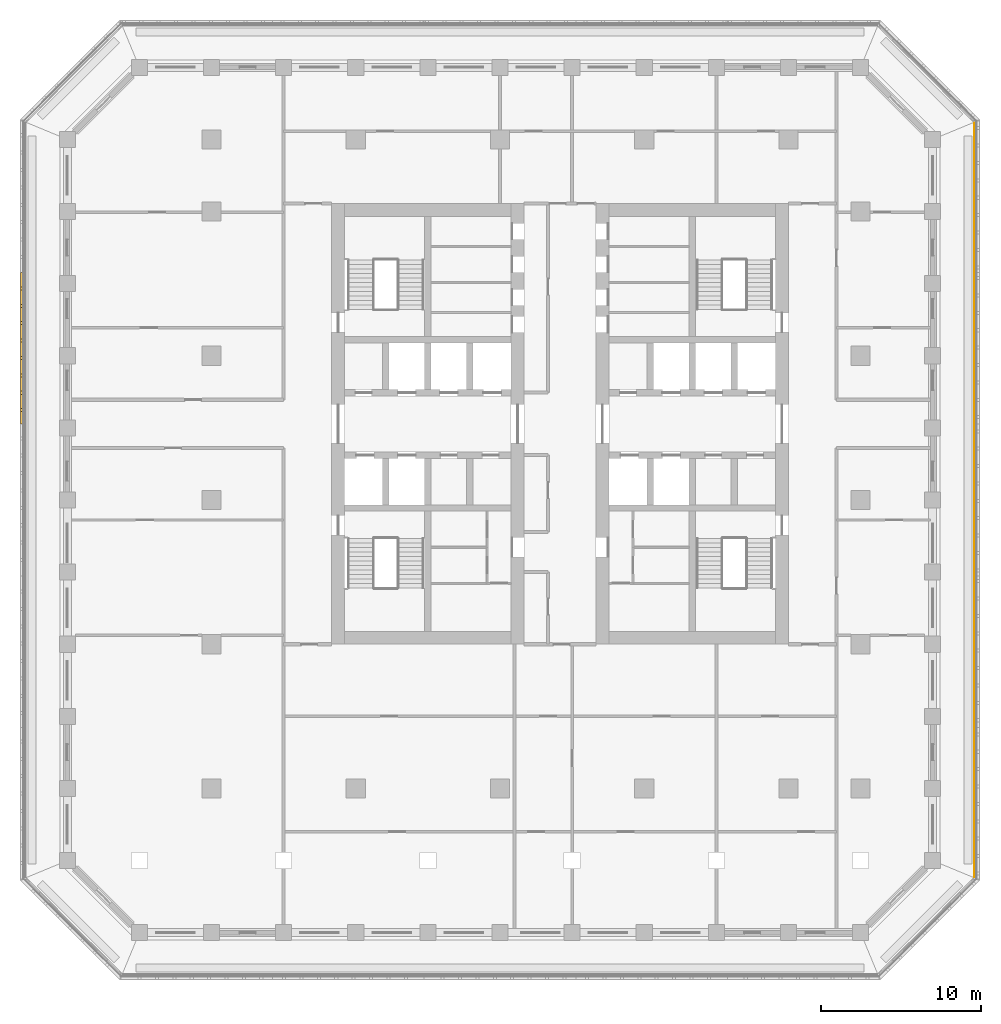
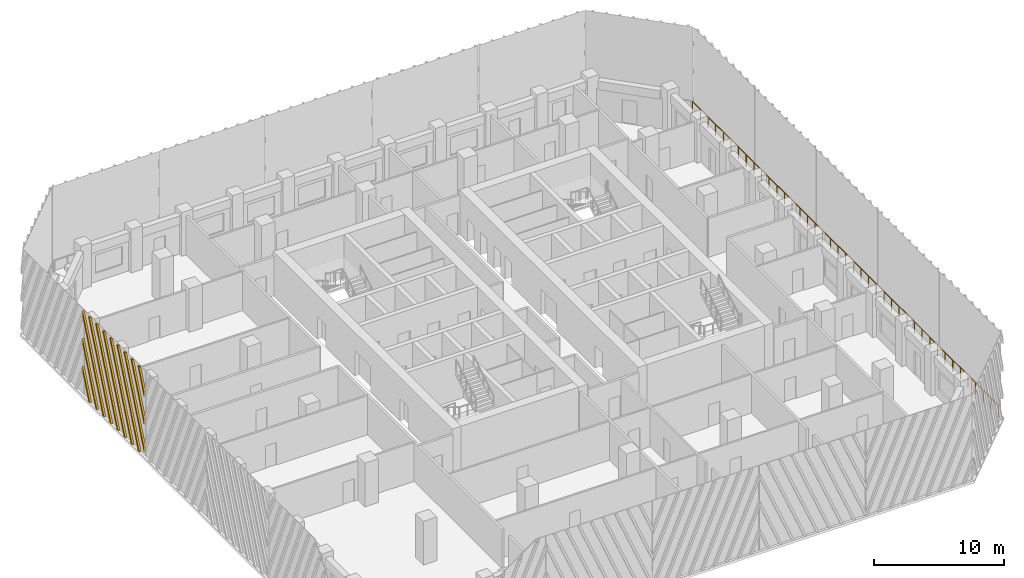
# One storey, part 13 of 17: 1 railing, 1 shading device.
"""IFC4 building model written with IfcOpenShell, lengths in metres."""

from ifc_helpers import new_model, si_unit, direction, frame, origin, origin_2d, place, context, subcontext, project, spatial, polyline, circle, outline, extrude, source, transform, mapped, material, type_object, element, save


model = new_model("IFC4")

# Units and contexts
model_context = context("Model", 3, precision=1e-05, world=origin(), true_north=direction((0.0, 1.0)))
body_context = subcontext(model_context, "Body", "Model", "MODEL_VIEW")
ifc_project = project(units=[si_unit("LENGTHUNIT", "METRE"), si_unit("AREAUNIT", "SQUARE_METRE"), si_unit("VOLUMEUNIT", "CUBIC_METRE"), si_unit("PLANEANGLEUNIT", "RADIAN"), si_unit("MASSUNIT", "GRAM", prefix="KILO")], contexts=[model_context])

# Site, building, storey
site_placement = place(None, origin())
site = spatial("IfcSite", under=ifc_project, at=site_placement, CompositionType="ELEMENT")
building_placement = place(site_placement, origin())
building = spatial("IfcBuilding", under=site, at=building_placement, Name="Corbel Stack Research Tower", CompositionType="ELEMENT")
storey_placement = place(building_placement, frame((0.0, 0.0, 156.800048828125)))
storey = spatial("IfcBuildingStorey", under=building, at=storey_placement, Name="L35", CompositionType="ELEMENT", Elevation=156.800048828125)

# Railing
ifc_material_1 = material(Name="Powder-coated steel guard", Category="steel")
railing_type = type_object("IfcRailingType", Name="Steel and glass guard 1100", PredefinedType="GUARDRAIL", material=ifc_material_1)
railing_placement = place(storey_placement, frame((29.60009765625, -23.50537109375, 0.0)))
element("IfcRailing", 1, at=railing_placement, inside=storey, type_object=railing_type, Name="Loggia guard L35 E", PredefinedType="GUARDRAIL", context=body_context, shape_type="SweptSolid", body=[
    extrude(circle(Radius=0.02392578125, at=origin_2d()), frame((0.0, 0.0, 1.076171875), z_axis=(0.0, 1.0, 0.0), x_axis=(-1.0, 0.0, 0.0)), (0.0, 0.0, 1.0), 47.0107421875),
    extrude(circle(Radius=0.02099609375, at=origin_2d()), origin(), (0.0, 0.0, 1.0), 1.052001953125),
    extrude(circle(Radius=0.02099609375, at=origin_2d()), frame((0.0, 1.17529296875, 0.0)), (0.0, 0.0, 1.0), 1.052001953125),
    extrude(circle(Radius=0.02099609375, at=origin_2d()), frame((0.0, 2.3505859375, 0.0)), (0.0, 0.0, 1.0), 1.052001953125),
    extrude(circle(Radius=0.02099609375, at=origin_2d()), frame((0.0, 3.52587890625, 0.0)), (0.0, 0.0, 1.0), 1.052001953125),
    extrude(circle(Radius=0.02099609375, at=origin_2d()), frame((0.0, 4.701171875, 0.0)), (0.0, 0.0, 1.0), 1.052001953125),
    extrude(circle(Radius=0.02099609375, at=origin_2d()), frame((0.0, 5.87646484375, 0.0)), (0.0, 0.0, 1.0), 1.052001953125),
    extrude(circle(Radius=0.02099609375, at=origin_2d()), frame((0.0, 7.051513671875, 0.0)), (0.0, 0.0, 1.0), 1.052001953125),
    extrude(circle(Radius=0.02099609375, at=origin_2d()), frame((0.0, 8.226806640625, 0.0)), (0.0, 0.0, 1.0), 1.052001953125),
    extrude(circle(Radius=0.02099609375, at=origin_2d()), frame((0.0, 9.402099609375, 0.0)), (0.0, 0.0, 1.0), 1.052001953125),
    extrude(circle(Radius=0.02099609375, at=origin_2d()), frame((0.0, 10.577392578125, 0.0)), (0.0, 0.0, 1.0), 1.052001953125),
    extrude(circle(Radius=0.02099609375, at=origin_2d()), frame((0.0, 11.752685546875, 0.0)), (0.0, 0.0, 1.0), 1.052001953125),
    extrude(circle(Radius=0.02099609375, at=origin_2d()), frame((0.0, 12.927978515625, 0.0)), (0.0, 0.0, 1.0), 1.052001953125),
    extrude(circle(Radius=0.02099609375, at=origin_2d()), frame((0.0, 14.103271484375, 0.0)), (0.0, 0.0, 1.0), 1.052001953125),
    extrude(circle(Radius=0.02099609375, at=origin_2d()), frame((0.0, 15.278564453125, 0.0)), (0.0, 0.0, 1.0), 1.052001953125),
    extrude(circle(Radius=0.02099609375, at=origin_2d()), frame((0.0, 16.453857421875, 0.0)), (0.0, 0.0, 1.0), 1.052001953125),
    extrude(circle(Radius=0.02099609375, at=origin_2d()), frame((0.0, 17.62890625, 0.0)), (0.0, 0.0, 1.0), 1.052001953125),
    extrude(circle(Radius=0.02099609375, at=origin_2d()), frame((0.0, 18.80419921875, 0.0)), (0.0, 0.0, 1.0), 1.052001953125),
    extrude(circle(Radius=0.02099609375, at=origin_2d()), frame((0.0, 19.9794921875, 0.0)), (0.0, 0.0, 1.0), 1.052001953125),
    extrude(circle(Radius=0.02099609375, at=origin_2d()), frame((0.0, 21.15478515625, 0.0)), (0.0, 0.0, 1.0), 1.052001953125),
    extrude(circle(Radius=0.02099609375, at=origin_2d()), frame((0.0, 22.330078125, 0.0)), (0.0, 0.0, 1.0), 1.052001953125),
    extrude(circle(Radius=0.02099609375, at=origin_2d()), frame((0.0, 23.50537109375, 0.0)), (0.0, 0.0, 1.0), 1.052001953125),
    extrude(circle(Radius=0.02099609375, at=origin_2d()), frame((0.0, 24.6806640625, 0.0)), (0.0, 0.0, 1.0), 1.052001953125),
    extrude(circle(Radius=0.02099609375, at=origin_2d()), frame((0.0, 25.85595703125, 0.0)), (0.0, 0.0, 1.0), 1.052001953125),
    extrude(circle(Radius=0.02099609375, at=origin_2d()), frame((0.0, 27.03125, 0.0)), (0.0, 0.0, 1.0), 1.052001953125),
    extrude(circle(Radius=0.02099609375, at=origin_2d()), frame((0.0, 28.20654296875, 0.0)), (0.0, 0.0, 1.0), 1.052001953125),
    extrude(circle(Radius=0.02099609375, at=origin_2d()), frame((0.0, 29.3818359375, 0.0)), (0.0, 0.0, 1.0), 1.052001953125),
    extrude(circle(Radius=0.02099609375, at=origin_2d()), frame((0.0, 30.556884765625, 0.0)), (0.0, 0.0, 1.0), 1.052001953125),
    extrude(circle(Radius=0.02099609375, at=origin_2d()), frame((0.0, 31.732177734375, 0.0)), (0.0, 0.0, 1.0), 1.052001953125),
    extrude(circle(Radius=0.02099609375, at=origin_2d()), frame((0.0, 32.907470703125, 0.0)), (0.0, 0.0, 1.0), 1.052001953125),
    extrude(circle(Radius=0.02099609375, at=origin_2d()), frame((0.0, 34.082763671875, 0.0)), (0.0, 0.0, 1.0), 1.052001953125),
    extrude(circle(Radius=0.02099609375, at=origin_2d()), frame((0.0, 35.258056640625, 0.0)), (0.0, 0.0, 1.0), 1.052001953125),
    extrude(circle(Radius=0.02099609375, at=origin_2d()), frame((0.0, 36.433349609375, 0.0)), (0.0, 0.0, 1.0), 1.052001953125),
    extrude(circle(Radius=0.02099609375, at=origin_2d()), frame((0.0, 37.608642578125, 0.0)), (0.0, 0.0, 1.0), 1.052001953125),
    extrude(circle(Radius=0.02099609375, at=origin_2d()), frame((0.0, 38.783935546875, 0.0)), (0.0, 0.0, 1.0), 1.052001953125),
    extrude(circle(Radius=0.02099609375, at=origin_2d()), frame((0.0, 39.959228515625, 0.0)), (0.0, 0.0, 1.0), 1.052001953125),
    extrude(circle(Radius=0.02099609375, at=origin_2d()), frame((0.0, 41.13427734375, 0.0)), (0.0, 0.0, 1.0), 1.052001953125),
    extrude(circle(Radius=0.02099609375, at=origin_2d()), frame((0.0, 42.3095703125, 0.0)), (0.0, 0.0, 1.0), 1.052001953125),
    extrude(circle(Radius=0.02099609375, at=origin_2d()), frame((0.0, 43.48486328125, 0.0)), (0.0, 0.0, 1.0), 1.052001953125),
    extrude(circle(Radius=0.02099609375, at=origin_2d()), frame((0.0, 44.66015625, 0.0)), (0.0, 0.0, 1.0), 1.052001953125),
    extrude(circle(Radius=0.02099609375, at=origin_2d()), frame((0.0, 45.83544921875, 0.0)), (0.0, 0.0, 1.0), 1.052001953125),
    extrude(circle(Radius=0.02099609375, at=origin_2d()), frame((0.0, 47.0107421875, 0.0)), (0.0, 0.0, 1.0), 1.052001953125),
])

# Shading device
ifc_material_2 = material(Name="Precast terracotta", Category="masonry")
shading_device_type = type_object("IfcShadingDeviceType", Name="Terracotta screen panel", PredefinedType="USERDEFINED", material=ifc_material_2)
shared_shape = source(origin(), body_context, "Body", "SweptSolid", [
    extrude(outline(polyline([(1.14453125, 0.0), (0.0, 2.740478515625), (0.0, 2.285400390625), (0.95458984375, 0.0), (1.14453125, 0.0)])), frame((0.0, 0.0, 0.0), z_axis=(0.0, -1.0, 0.0), x_axis=(1.0, 0.0, 0.0)), (0.0, 0.0, 1.0), 0.179931640625),
    extrude(outline(polyline([(2.22900390625, 0.0), (0.0, 5.337646484375), (0.0, 4.882568359375), (2.0390625, 0.0), (2.22900390625, 0.0)])), frame((0.0, 0.0, 0.0), z_axis=(0.0, -1.0, 0.0), x_axis=(1.0, 0.0, 0.0)), (0.0, 0.0, 1.0), 0.179931640625),
    extrude(outline(polyline([(3.313720703125, 0.0), (0.0, 7.934814453125), (0.0, 7.479736328125), (3.123779296875, 0.0), (3.313720703125, 0.0)])), frame((0.0, 0.0, 0.0), z_axis=(0.0, -1.0, 0.0), x_axis=(1.0, 0.0, 0.0)), (0.0, 0.0, 1.0), 0.179931640625),
    extrude(outline(polyline([(4.3984375, 0.0), (1.078369140625, 7.949951171875), (0.88818359375, 7.949951171875), (4.20849609375, 0.0), (4.3984375, 0.0)])), frame((0.0, 0.0, 0.0), z_axis=(0.0, -1.0, 0.0), x_axis=(1.0, 0.0, 0.0)), (0.0, 0.0, 1.0), 0.179931640625),
    extrude(outline(polyline([(5.483154296875, 0.0), (2.1630859375, 7.949951171875), (1.972900390625, 7.949951171875), (5.293212890625, 0.0), (5.483154296875, 0.0)])), frame((0.0, 0.0, 0.0), z_axis=(0.0, -1.0, 0.0), x_axis=(1.0, 0.0, 0.0)), (0.0, 0.0, 1.0), 0.179931640625),
    extrude(outline(polyline([(6.56787109375, 0.0), (3.24755859375, 7.949951171875), (3.0576171875, 7.949951171875), (6.377685546875, 0.0), (6.56787109375, 0.0)])), frame((0.0, 0.0, 0.0), z_axis=(0.0, -1.0, 0.0), x_axis=(1.0, 0.0, 0.0)), (0.0, 0.0, 1.0), 0.179931640625),
    extrude(outline(polyline([(7.652587890625, 0.0), (4.332275390625, 7.949951171875), (4.142333984375, 7.949951171875), (7.46240234375, 0.0), (7.652587890625, 0.0)])), frame((0.0, 0.0, 0.0), z_axis=(0.0, -1.0, 0.0), x_axis=(1.0, 0.0, 0.0)), (0.0, 0.0, 1.0), 0.179931640625),
    extrude(outline(polyline([(8.737060546875, 0.0), (5.4169921875, 7.949951171875), (5.22705078125, 7.949951171875), (8.547119140625, 0.0), (8.737060546875, 0.0)])), frame((0.0, 0.0, 0.0), z_axis=(0.0, -1.0, 0.0), x_axis=(1.0, 0.0, 0.0)), (0.0, 0.0, 1.0), 0.179931640625),
    extrude(outline(polyline([(6.501708984375, 7.949951171875), (6.3115234375, 7.949951171875), (9.45556640625, 0.421875), (9.45556640625, 0.876708984375), (6.501708984375, 7.949951171875)])), frame((0.0, 0.0, 0.0), z_axis=(0.0, -1.0, 0.0), x_axis=(1.0, 0.0, 0.0)), (0.0, 0.0, 1.0), 0.179931640625),
    extrude(outline(polyline([(7.586181640625, 7.949951171875), (7.396240234375, 7.949951171875), (9.45556640625, 3.01904296875), (9.45556640625, 3.473876953125), (7.586181640625, 7.949951171875)])), frame((0.0, 0.0, 0.0), z_axis=(0.0, -1.0, 0.0), x_axis=(1.0, 0.0, 0.0)), (0.0, 0.0, 1.0), 0.179931640625),
    extrude(outline(polyline([(8.6708984375, 7.949951171875), (8.48095703125, 7.949951171875), (9.45556640625, 5.6162109375), (9.45556640625, 6.071044921875), (8.6708984375, 7.949951171875)])), frame((0.0, 0.0, 0.0), z_axis=(0.0, -1.0, 0.0), x_axis=(1.0, 0.0, 0.0)), (0.0, 0.0, 1.0), 0.179931640625),
])
shading_device_placement = place(storey_placement, frame((-29.75, 14.18359375, 0.0), z_axis=(0.0, 0.0, 1.0), x_axis=(0.0, -1.0, 0.0)))
element("IfcShadingDevice", 2, at=shading_device_placement, inside=storey, type_object=shading_device_type, Name="Terracotta screen L35 W2", ObjectType="SCREEN", PredefinedType="USERDEFINED", context=body_context, shape_type="MappedRepresentation", body=[
    mapped(shared_shape, transform((0.0, 0.0, 0.0))),
])

save(model, "model.ifc")
